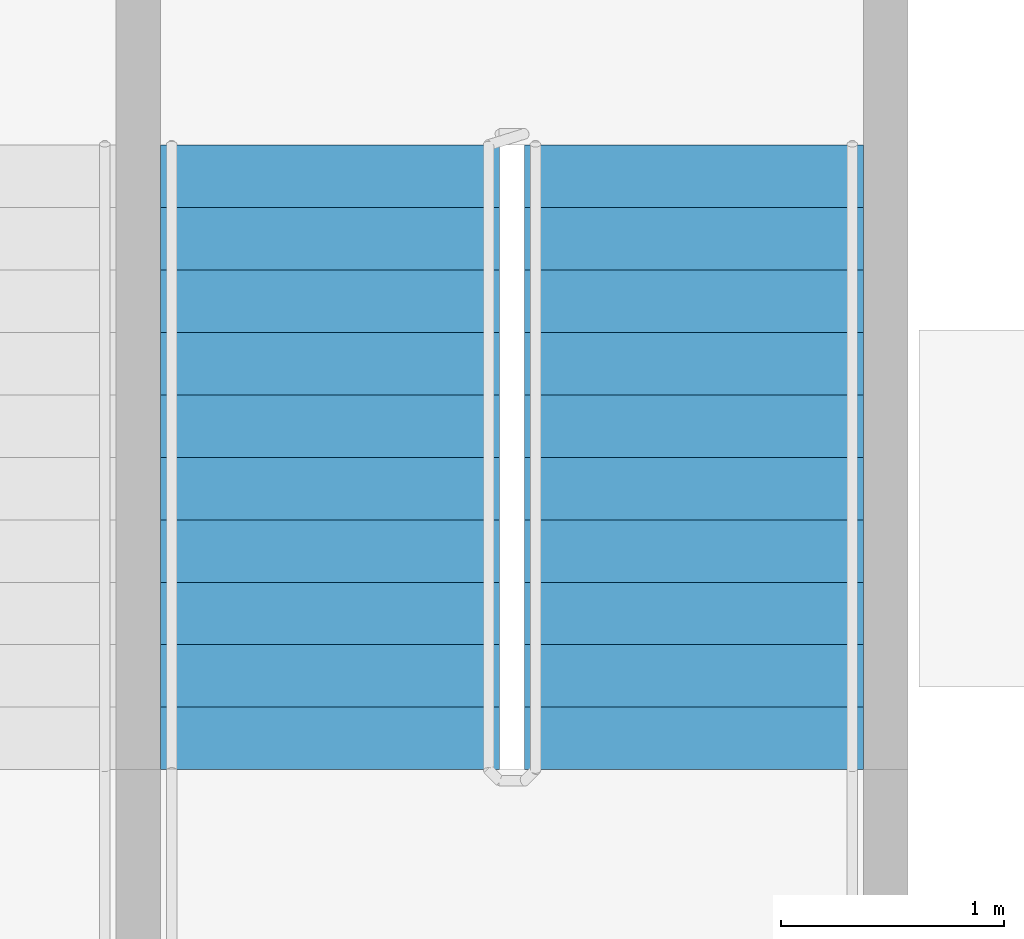
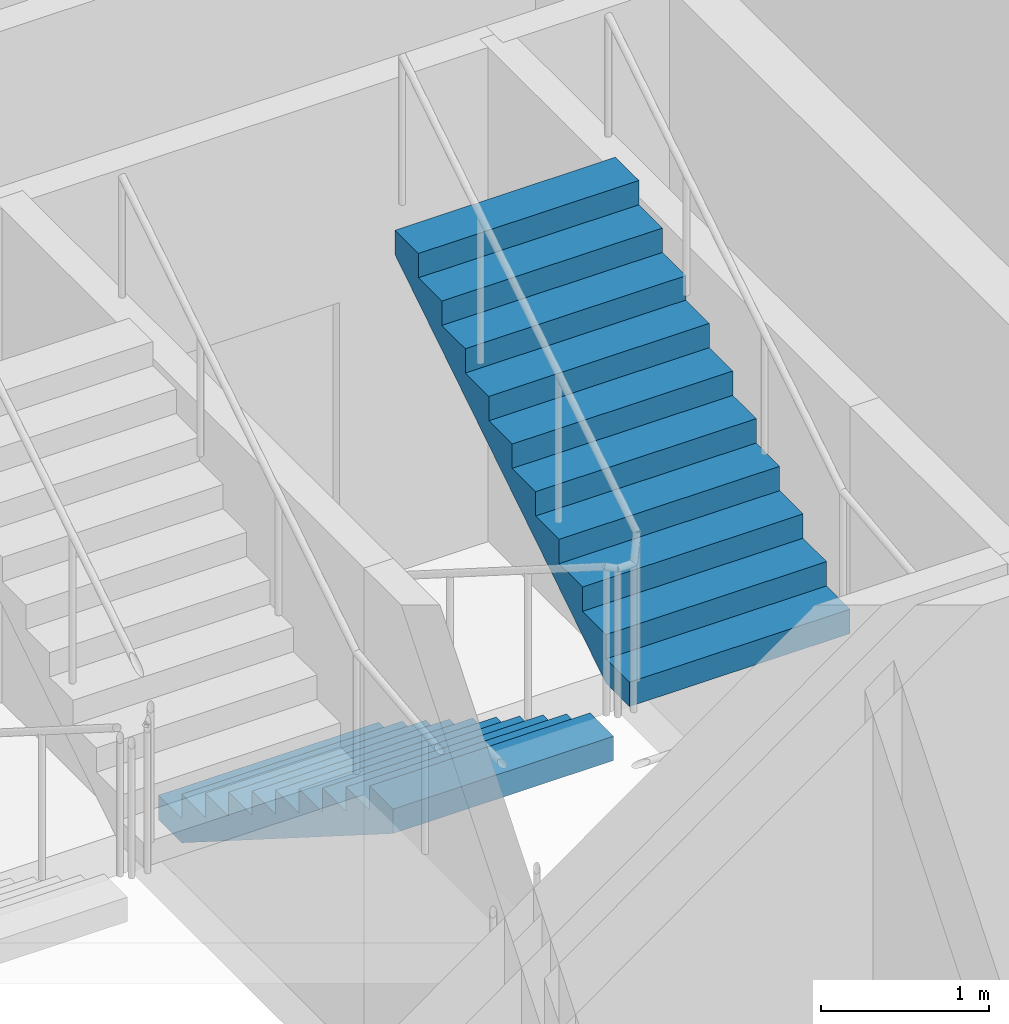
# One storey, part 8 of 9: 2 stair flights, 1 element without a shape of its own.
"""IFC4 building model written with IfcOpenShell, lengths in metres."""

from ifc_helpers import new_model, si_unit, direction, frame, origin, place, context, subcontext, project, spatial, polyline, outline, extrude, material, type_object, element, aggregate, save


model = new_model("IFC4")

# Units and contexts
model_context = context("Model", 3, precision=1e-05, world=origin(), true_north=direction((0.0, 1.0)))
body_context = subcontext(model_context, "Body", "Model", "MODEL_VIEW")
ifc_project = project(units=[si_unit("LENGTHUNIT", "METRE"), si_unit("AREAUNIT", "SQUARE_METRE"), si_unit("VOLUMEUNIT", "CUBIC_METRE"), si_unit("PLANEANGLEUNIT", "RADIAN"), si_unit("MASSUNIT", "GRAM", prefix="KILO")], contexts=[model_context])

# Site, building, storey
site_placement = place(None, origin())
site = spatial("IfcSite", under=ifc_project, at=site_placement, CompositionType="ELEMENT")
building_placement = place(site_placement, origin())
building = spatial("IfcBuilding", under=site, at=building_placement, Name="Tessera Arch", CompositionType="ELEMENT")
storey_placement = place(building_placement, frame((0.0, 0.0, 309.0)))
storey = spatial("IfcBuildingStorey", under=building, at=storey_placement, Name="L74", CompositionType="ELEMENT", Elevation=309.0)

# Stair, stair flights
ifc_material_1 = material(Name="Concrete C40/50", Category="concrete")
stair_type = type_object("IfcStairType", Name="Dogleg stair 1520", PredefinedType="HALF_TURN_STAIR", material=ifc_material_1)
stair_placement = place(storey_placement, origin())
stair = element("IfcStair", 1, at=stair_placement, inside=storey, type_object=stair_type, Name="L74 S1c", PredefinedType="HALF_TURN_STAIR")
ifc_material_2 = material(Name="Concrete C40/50", Category="concrete")
stair_flight_type = type_object("IfcStairFlightType", Name="Stair flight 1520", PredefinedType="STRAIGHT", material=ifc_material_2)
stair_flight_1_placement = place(storey_placement, frame((44.159912109375, 43.580078125, 0.0), z_axis=(0.0, 0.0, 1.0), x_axis=(0.0, -1.0, 0.0)))
stair_flight_1 = element("IfcStairFlight", 2, at=stair_flight_1_placement, type_object=stair_flight_type, Name="S1c flight 1", NumberOfRisers=11, NumberOfTreads=10, PredefinedType="STRAIGHT", RiserHeight=0.177272727, TreadLength=0.28, context=body_context, shape_type="SweptSolid", body=[
    extrude(outline(polyline([(0.0, 0.0), (0.0, 0.17724609375), (0.280029296875, 0.17724609375), (0.280029296875, 0.3544921875), (0.56005859375, 0.3544921875), (0.56005859375, 0.53173828125), (0.840087890625, 0.53173828125), (0.840087890625, 0.708984375), (1.1201171875, 0.708984375), (1.1201171875, 0.886474609375), (1.39990234375, 0.886474609375), (1.39990234375, 1.063720703125), (1.679931640625, 1.063720703125), (1.679931640625, 1.240966796875), (1.9599609375, 1.240966796875), (1.9599609375, 1.418212890625), (2.239990234375, 1.418212890625), (2.239990234375, 1.595458984375), (2.52001953125, 1.595458984375), (2.52001953125, 1.772705078125), (2.800048828125, 1.772705078125), (2.800048828125, 1.949951171875), (2.800048828125, 1.59521484375), (0.2802734375, 0.0), (0.0, 0.0)])), frame((0.0, 0.760009765625, 0.0), z_axis=(0.0, -1.0, 0.0), x_axis=(1.0, 0.0, 0.0)), (0.0, 0.0, 1.0), 1.52001953125),
])
stair_flight_2_placement = place(storey_placement, frame((45.7900390625, 40.780029296875, 1.949951171875), z_axis=(0.0, 0.0, 1.0), x_axis=(0.0, 1.0, 0.0)))
stair_flight_2 = element("IfcStairFlight", 3, at=stair_flight_2_placement, type_object=stair_flight_type, Name="S1c flight 2", NumberOfRisers=11, NumberOfTreads=10, PredefinedType="STRAIGHT", RiserHeight=0.177272727, TreadLength=0.28, context=body_context, shape_type="SweptSolid", body=[
    extrude(outline(polyline([(0.0, 0.0), (0.0, 0.17724609375), (0.280029296875, 0.17724609375), (0.280029296875, 0.3544921875), (0.56005859375, 0.3544921875), (0.56005859375, 0.53173828125), (0.840087890625, 0.53173828125), (0.840087890625, 0.708984375), (1.1201171875, 0.708984375), (1.1201171875, 0.886474609375), (1.39990234375, 0.886474609375), (1.39990234375, 1.063720703125), (1.679931640625, 1.063720703125), (1.679931640625, 1.240966796875), (1.9599609375, 1.240966796875), (1.9599609375, 1.418212890625), (2.239990234375, 1.418212890625), (2.239990234375, 1.595458984375), (2.52001953125, 1.595458984375), (2.52001953125, 1.772705078125), (2.800048828125, 1.772705078125), (2.800048828125, 1.949951171875), (2.800048828125, 1.59521484375), (0.2802734375, 0.0), (0.0, 0.0)])), frame((0.0, 0.760009765625, 0.0), z_axis=(0.0, -1.0, 0.0), x_axis=(1.0, 0.0, 0.0)), (0.0, 0.0, 1.0), 1.52001953125),
])
aggregate(stair, [stair_flight_1, stair_flight_2])

save(model, "model.ifc")
